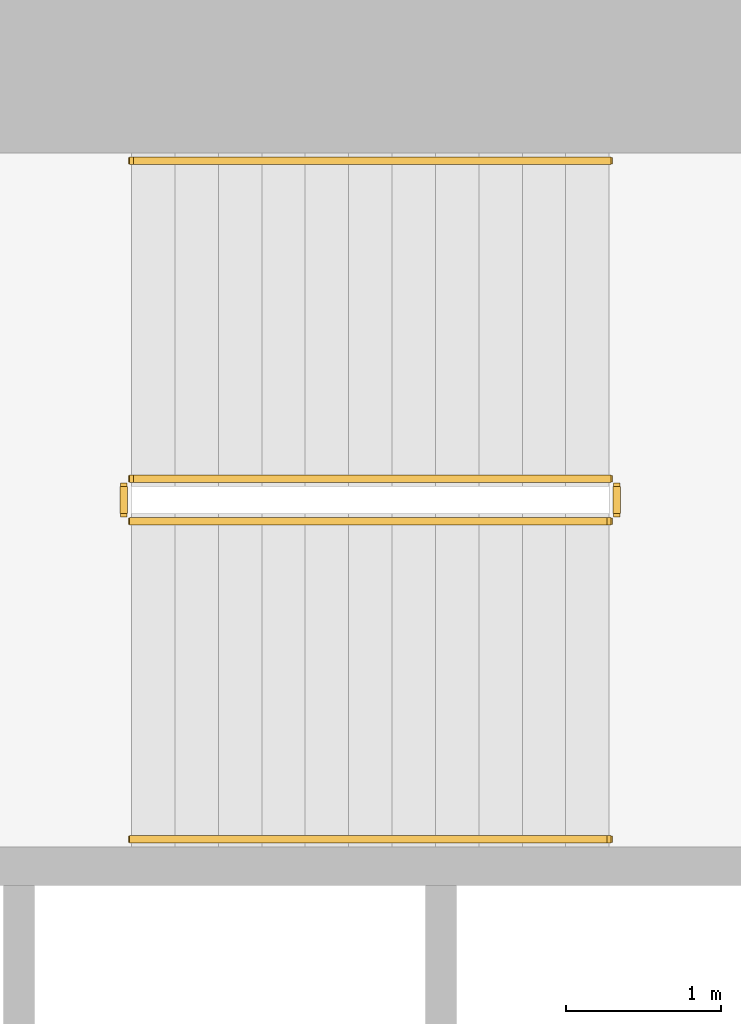
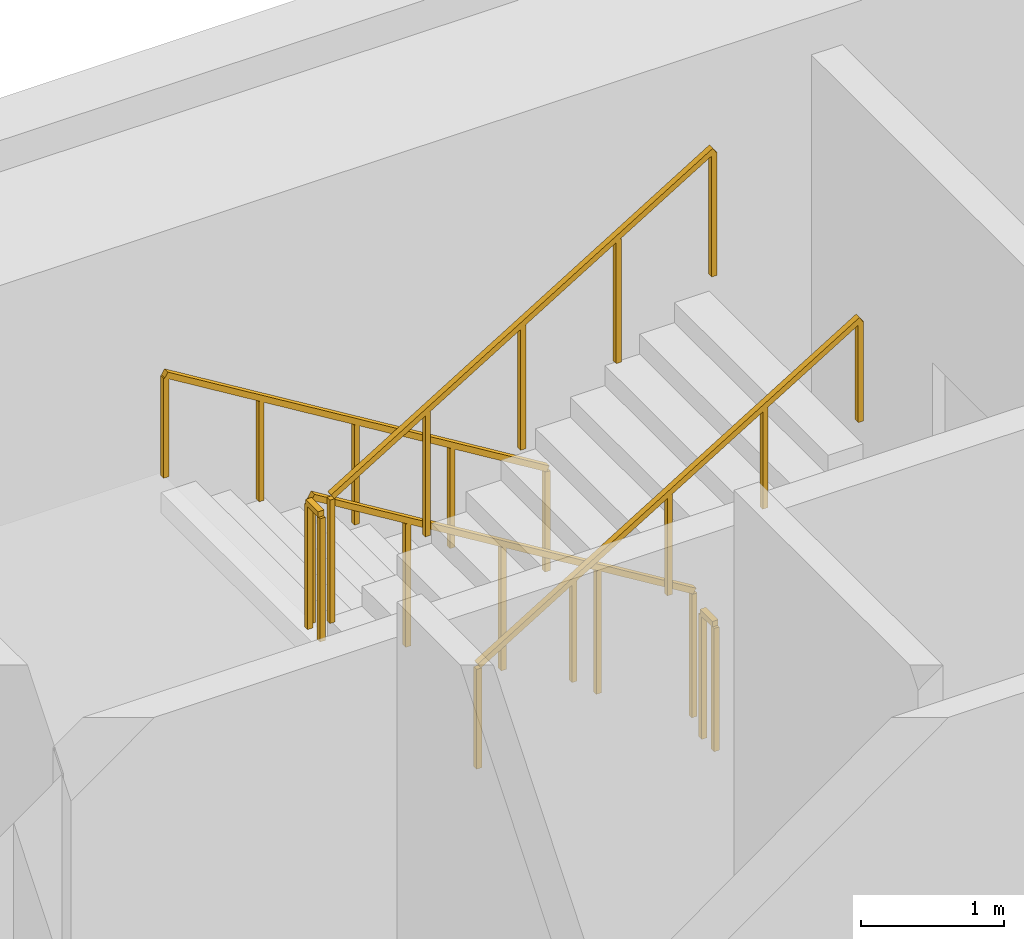
# One storey, part 14 of 15: 6 railings.
"""IFC4 building model written with IfcOpenShell, lengths in metres."""

from ifc_helpers import new_model, si_unit, direction, frame, origin, origin_2d, place, context, subcontext, project, spatial, rectangle, extrude, material, type_object, element, save


model = new_model("IFC4")

# Units and contexts
model_context = context("Model", 3, precision=1e-05, world=origin(), true_north=direction((0.0, 1.0)))
body_context = subcontext(model_context, "Body", "Model", "MODEL_VIEW")
ifc_project = project(units=[si_unit("LENGTHUNIT", "METRE"), si_unit("AREAUNIT", "SQUARE_METRE"), si_unit("VOLUMEUNIT", "CUBIC_METRE"), si_unit("PLANEANGLEUNIT", "RADIAN"), si_unit("MASSUNIT", "GRAM", prefix="KILO")], contexts=[model_context])

# Site, building, storey
site_placement = place(None, origin())
site = spatial("IfcSite", under=ifc_project, at=site_placement, CompositionType="ELEMENT")
building_placement = place(site_placement, origin())
building = spatial("IfcBuilding", under=site, at=building_placement, Name="Cypress Arch Tower", CompositionType="ELEMENT")
storey_placement = place(building_placement, frame((0.0, 0.0, 193.300048828125)))
storey = spatial("IfcBuildingStorey", under=building, at=storey_placement, Name="L42", CompositionType="ELEMENT", Elevation=193.300048828125)

# Railings
ifc_material_1 = material(Name="Black powder-coated steel square bar 48 mm", Category="steel")
railing_type_1 = type_object("IfcRailingType", Name="Stair handrail HR1", PredefinedType="HANDRAIL", material=ifc_material_1)
railing_1_placement = place(storey_placement, frame((-22.27490234375, 14.75, 0.1708984375)))
element("IfcRailing", 1, at=railing_1_placement, inside=storey, type_object=railing_type_1, Name="L42 B stair handrail 1", PredefinedType="HANDRAIL", context=body_context, shape_type="SweptSolid", body=[
    extrude(rectangle(XDim=0.048095703125, YDim=0.048095703125, at=origin_2d()), frame((0.0, 0.0, 0.8759765625), z_axis=(-0.853666305674, 0.0, 0.52082035152), x_axis=(0.0, -1.0, 0.0)), (0.0, 0.0, 1.0), 3.608154296875),
    extrude(rectangle(XDim=0.0419921875, YDim=0.0419921875, at=origin_2d()), origin(), (0.0, 0.0, 1.0), 0.851806640625),
    extrude(rectangle(XDim=0.0419921875, YDim=0.0419921875, at=origin_2d()), frame((-0.77001953125, 0.0, 0.4697265625)), (0.0, 0.0, 1.0), 0.851806640625),
    extrude(rectangle(XDim=0.0419921875, YDim=0.0419921875, at=origin_2d()), frame((-1.5400390625, 0.0, 0.939453125)), (0.0, 0.0, 1.0), 0.851806640625),
    extrude(rectangle(XDim=0.0419921875, YDim=0.0419921875, at=origin_2d()), frame((-2.31005859375, 0.0, 1.409423828125)), (0.0, 0.0, 1.0), 0.851806640625),
    extrude(rectangle(XDim=0.0419921875, YDim=0.0419921875, at=origin_2d()), frame((-3.080078125, 0.0, 1.879150390625)), (0.0, 0.0, 1.0), 0.851806640625),
])
railing_2_placement = place(storey_placement, frame((-25.35498046875, 10.375, 2.220703125)))
element("IfcRailing", 2, at=railing_2_placement, inside=storey, type_object=railing_type_1, Name="L42 B stair handrail 2", PredefinedType="HANDRAIL", context=body_context, shape_type="SweptSolid", body=[
    extrude(rectangle(XDim=0.048095703125, YDim=0.048095703125, at=origin_2d()), frame((0.0, 0.0, 0.8759765625), z_axis=(0.853666305674, 0.0, 0.52082035152), x_axis=(0.0, 1.0, 0.0)), (0.0, 0.0, 1.0), 3.608154296875),
    extrude(rectangle(XDim=0.0419921875, YDim=0.0419921875, at=origin_2d()), origin(), (0.0, 0.0, 1.0), 0.851806640625),
    extrude(rectangle(XDim=0.0419921875, YDim=0.0419921875, at=origin_2d()), frame((0.77001953125, 0.0, 0.4697265625)), (0.0, 0.0, 1.0), 0.851806640625),
    extrude(rectangle(XDim=0.0419921875, YDim=0.0419921875, at=origin_2d()), frame((1.5400390625, 0.0, 0.939453125)), (0.0, 0.0, 1.0), 0.851806640625),
    extrude(rectangle(XDim=0.0419921875, YDim=0.0419921875, at=origin_2d()), frame((2.31005859375, 0.0, 1.409423828125)), (0.0, 0.0, 1.0), 0.851806640625),
    extrude(rectangle(XDim=0.0419921875, YDim=0.0419921875, at=origin_2d()), frame((3.080078125, 0.0, 1.879150390625)), (0.0, 0.0, 1.0), 0.851806640625),
])
ifc_material_2 = material(Name="Black powder-coated steel balusters", Category="steel")
railing_type_2 = type_object("IfcRailingType", Name="Stair well guard G1", PredefinedType="GUARDRAIL", material=ifc_material_2)
railing_3_placement = place(storey_placement, frame((-22.27490234375, 12.699951171875, 0.1708984375)))
element("IfcRailing", 3, at=railing_3_placement, inside=storey, type_object=railing_type_2, Name="L42 B stair guard 1", PredefinedType="GUARDRAIL", context=body_context, shape_type="SweptSolid", body=[
    extrude(rectangle(XDim=0.048095703125, YDim=0.048095703125, at=origin_2d()), frame((0.0, 0.0, 1.076171875), z_axis=(-0.853666305674, 0.0, 0.52082035152), x_axis=(0.0, -1.0, 0.0)), (0.0, 0.0, 1.0), 3.608154296875),
    extrude(rectangle(XDim=0.0419921875, YDim=0.0419921875, at=origin_2d()), origin(), (0.0, 0.0, 1.0), 1.052001953125),
    extrude(rectangle(XDim=0.0419921875, YDim=0.0419921875, at=origin_2d()), frame((-0.77001953125, 0.0, 0.4697265625)), (0.0, 0.0, 1.0), 1.052001953125),
    extrude(rectangle(XDim=0.0419921875, YDim=0.0419921875, at=origin_2d()), frame((-1.5400390625, 0.0, 0.939453125)), (0.0, 0.0, 1.0), 1.052001953125),
    extrude(rectangle(XDim=0.0419921875, YDim=0.0419921875, at=origin_2d()), frame((-2.31005859375, 0.0, 1.409423828125)), (0.0, 0.0, 1.0), 1.052001953125),
    extrude(rectangle(XDim=0.0419921875, YDim=0.0419921875, at=origin_2d()), frame((-3.080078125, 0.0, 1.879150390625)), (0.0, 0.0, 1.0), 1.052001953125),
])
railing_4_placement = place(storey_placement, frame((-25.405029296875, 12.64990234375, 2.050048828125)))
element("IfcRailing", 4, at=railing_4_placement, inside=storey, type_object=railing_type_2, Name="L42 B stair guard 2", PredefinedType="GUARDRAIL", context=body_context, shape_type="SweptSolid", body=[
    extrude(rectangle(XDim=0.048095703125, YDim=0.048095703125, at=origin_2d()), frame((0.0, 0.0, 1.076171875), z_axis=(0.0, -1.0, 0.0), x_axis=(1.0, 0.0, 0.0)), (0.0, 0.0, 1.0), 0.1748046875),
    extrude(rectangle(XDim=0.0419921875, YDim=0.0419921875, at=origin_2d()), origin(), (0.0, 0.0, 1.0), 1.052001953125),
    extrude(rectangle(XDim=0.0419921875, YDim=0.0419921875, at=origin_2d()), frame((0.0, -0.1748046875, 0.0)), (0.0, 0.0, 1.0), 1.052001953125),
])
railing_5_placement = place(storey_placement, frame((-25.35498046875, 12.425048828125, 2.220703125)))
element("IfcRailing", 5, at=railing_5_placement, inside=storey, type_object=railing_type_2, Name="L42 B stair guard 3", PredefinedType="GUARDRAIL", context=body_context, shape_type="SweptSolid", body=[
    extrude(rectangle(XDim=0.048095703125, YDim=0.048095703125, at=origin_2d()), frame((0.0, 0.0, 1.076171875), z_axis=(0.853666305674, 0.0, 0.52082035152), x_axis=(0.0, 1.0, 0.0)), (0.0, 0.0, 1.0), 3.608154296875),
    extrude(rectangle(XDim=0.0419921875, YDim=0.0419921875, at=origin_2d()), origin(), (0.0, 0.0, 1.0), 1.052001953125),
    extrude(rectangle(XDim=0.0419921875, YDim=0.0419921875, at=origin_2d()), frame((0.77001953125, 0.0, 0.4697265625)), (0.0, 0.0, 1.0), 1.052001953125),
    extrude(rectangle(XDim=0.0419921875, YDim=0.0419921875, at=origin_2d()), frame((1.5400390625, 0.0, 0.939453125)), (0.0, 0.0, 1.0), 1.052001953125),
    extrude(rectangle(XDim=0.0419921875, YDim=0.0419921875, at=origin_2d()), frame((2.31005859375, 0.0, 1.409423828125)), (0.0, 0.0, 1.0), 1.052001953125),
    extrude(rectangle(XDim=0.0419921875, YDim=0.0419921875, at=origin_2d()), frame((3.080078125, 0.0, 1.879150390625)), (0.0, 0.0, 1.0), 1.052001953125),
])
railing_6_placement = place(storey_placement, frame((-22.22509765625, 12.64990234375, 0.0)))
element("IfcRailing", 6, at=railing_6_placement, inside=storey, type_object=railing_type_2, Name="L42 B stair guard 4", PredefinedType="GUARDRAIL", context=body_context, shape_type="SweptSolid", body=[
    extrude(rectangle(XDim=0.048095703125, YDim=0.048095703125, at=origin_2d()), frame((0.0, 0.0, 1.076171875), z_axis=(0.0, -1.0, 0.0), x_axis=(1.0, 0.0, 0.0)), (0.0, 0.0, 1.0), 0.1748046875),
    extrude(rectangle(XDim=0.0419921875, YDim=0.0419921875, at=origin_2d()), origin(), (0.0, 0.0, 1.0), 1.052001953125),
    extrude(rectangle(XDim=0.0419921875, YDim=0.0419921875, at=origin_2d()), frame((0.0, -0.1748046875, 0.0)), (0.0, 0.0, 1.0), 1.052001953125),
])

save(model, "model.ifc")
